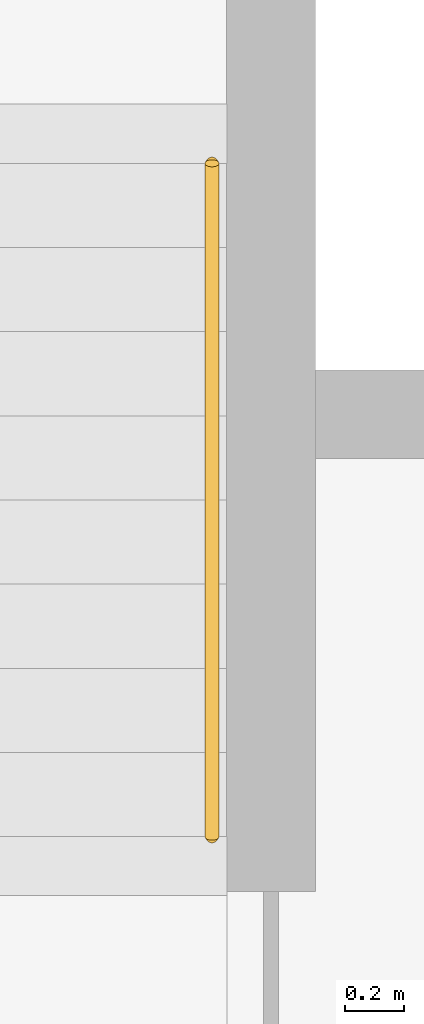
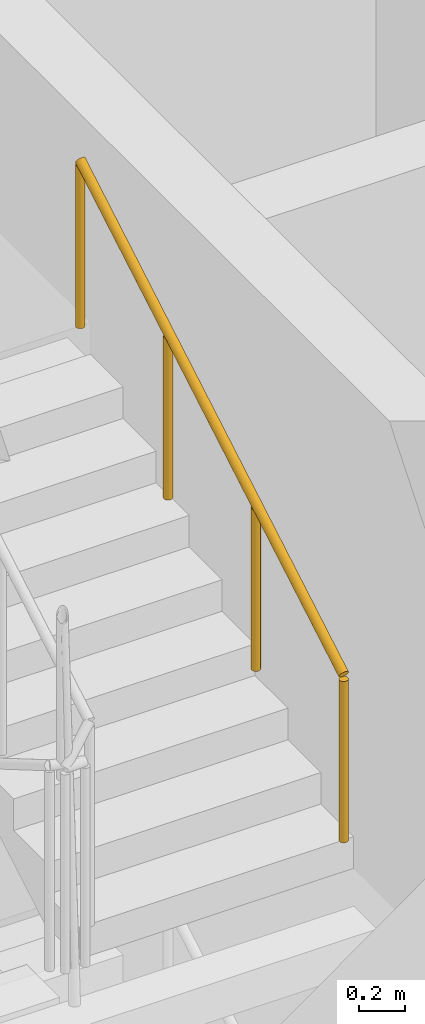
# One storey, part 15 of 16: 1 railing.
"""IFC4 building model written with IfcOpenShell, lengths in metres."""

from ifc_helpers import new_model, si_unit, direction, frame, origin, origin_2d, place, context, subcontext, project, spatial, circle, extrude, material, type_object, element, save


model = new_model("IFC4")

# Units and contexts
model_context = context("Model", 3, precision=1e-05, world=origin(), true_north=direction((0.0, 1.0)))
body_context = subcontext(model_context, "Body", "Model", "MODEL_VIEW")
ifc_project = project(units=[si_unit("LENGTHUNIT", "METRE"), si_unit("AREAUNIT", "SQUARE_METRE"), si_unit("VOLUMEUNIT", "CUBIC_METRE"), si_unit("PLANEANGLEUNIT", "RADIAN"), si_unit("MASSUNIT", "GRAM", prefix="KILO")], contexts=[model_context])

# Site, building, storey
site_placement = place(None, origin())
site = spatial("IfcSite", under=ifc_project, at=site_placement, CompositionType="ELEMENT")
building_placement = place(site_placement, origin())
building = spatial("IfcBuilding", under=site, at=building_placement, Name="Firuza Gate Tower and Library", CompositionType="ELEMENT")
storey_placement = place(building_placement, frame((0.0, 0.0, 241.60009765625)))
storey = spatial("IfcBuildingStorey", under=building, at=storey_placement, Name="L57", CompositionType="ELEMENT", Elevation=241.60009765625)

# Railing
ifc_material = material(Name="Steel S355", Category="steel")
railing_type = type_object("IfcRailingType", Name="Stair handrail 900", PredefinedType="HANDRAIL", material=ifc_material)
railing_placement = place(storey_placement, frame((74.949951171875, 89.469970703125, 3.16650390625)))
element("IfcRailing", 1, at=railing_placement, inside=storey, type_object=railing_type, Name="L57 ST3 stair handrail 3", PredefinedType="HANDRAIL", context=body_context, shape_type="SweptSolid", body=[
    extrude(circle(Radius=0.02392578125, at=origin_2d()), frame((0.0, 0.0, 0.8759765625), z_axis=(0.0, 0.863205083432, 0.504853428173), x_axis=(-1.0, 0.0, 0.0)), (0.0, 0.0, 1.0), 2.641357421875),
    extrude(circle(Radius=0.02099609375, at=origin_2d()), origin(), (0.0, 0.0, 1.0), 0.851806640625),
    extrude(circle(Radius=0.02099609375, at=origin_2d()), frame((0.0, 0.760009765625, 0.444580078125)), (0.0, 0.0, 1.0), 0.851806640625),
    extrude(circle(Radius=0.02099609375, at=origin_2d()), frame((0.0, 1.52001953125, 0.888916015625)), (0.0, 0.0, 1.0), 0.851806640625),
    extrude(circle(Radius=0.02099609375, at=origin_2d()), frame((0.0, 2.280029296875, 1.33349609375)), (0.0, 0.0, 1.0), 0.851806640625),
])

save(model, "model.ifc")
